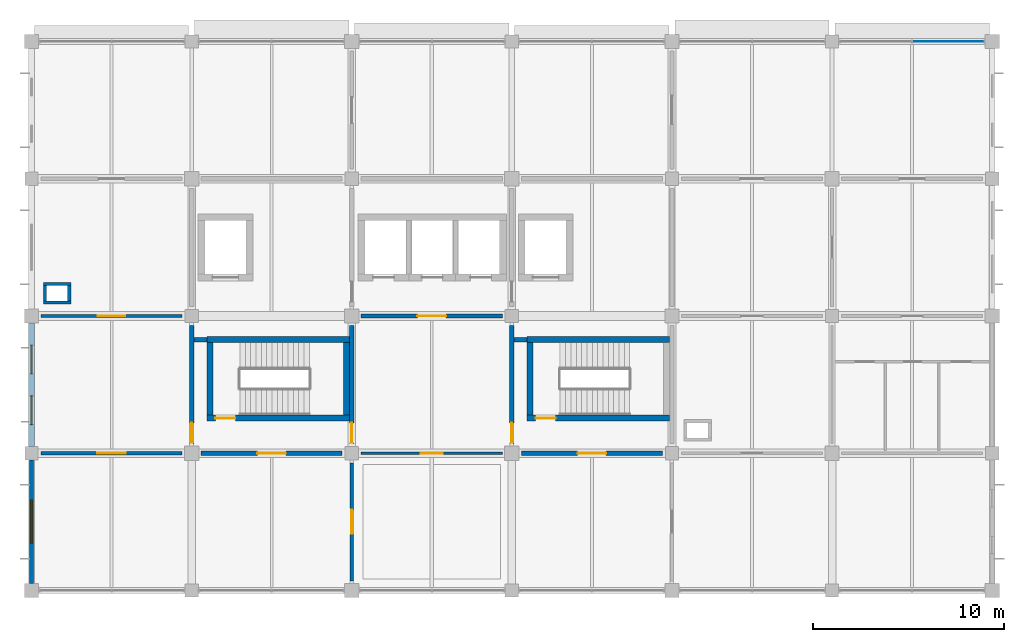
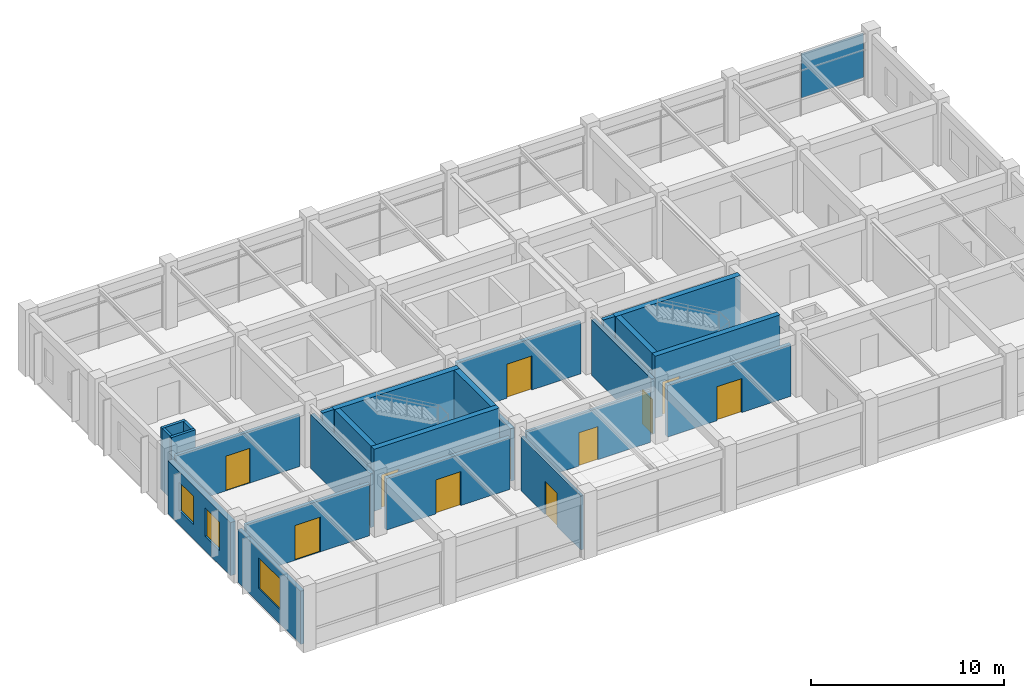
# One storey, part 8 of 13: 25 walls, 12 doors, 3 windows, 1 plate, 15 openings, 1 element without a shape of its own.
"""IFC4 building model written with IfcOpenShell, lengths in metres."""

from ifc_helpers import new_model, si_unit, derived_unit, direction, frame, frame_2d, origin, origin_2d, place, context, subcontext, project, spatial, rectangle, extrude, material, layer, layer_set, type_object, element, fill, aggregate, save


model = new_model("IFC4")

# Units and contexts
model_context = context("Model", 3, precision=1e-05, world=origin(), true_north=direction((0.0, 1.0)))
body_context = subcontext(model_context, "Body", "Model", "MODEL_VIEW")
ifc_project = project(units=[si_unit("LENGTHUNIT", "METRE"), si_unit("AREAUNIT", "SQUARE_METRE"), si_unit("VOLUMEUNIT", "CUBIC_METRE"), si_unit("PLANEANGLEUNIT", "RADIAN"), si_unit("MASSUNIT", "GRAM", prefix="KILO"), derived_unit("THERMALTRANSMITTANCEUNIT", [(si_unit("MASSUNIT", "GRAM", prefix="KILO"), 1), (si_unit("TIMEUNIT", "SECOND"), -3), (si_unit("THERMODYNAMICTEMPERATUREUNIT", "KELVIN"), -1)])], contexts=[model_context])

# Site, building, storey
site_placement = place(None, origin())
site = spatial("IfcSite", under=ifc_project, at=site_placement, CompositionType="ELEMENT")
building_placement = place(site_placement, origin())
building = spatial("IfcBuilding", under=site, at=building_placement, Name="Veldstrom Oceanarium and Marine Research Institute", CompositionType="ELEMENT")
storey_placement = place(building_placement, frame((0.0, 0.0, 31.199951171875)))
storey = spatial("IfcBuildingStorey", under=building, at=storey_placement, Name="L06", CompositionType="ELEMENT", Elevation=31.199951171875)

# Curtain wall, plate
ifc_material_1 = material(Name="Anodised Aluminium Framing", Category="aluminium")
curtain_wall_type = type_object("IfcCurtainWallType", Name="ARC-CW-CW04", PredefinedType="USERDEFINED", material=ifc_material_1)
curtain_wall_placement = place(storey_placement, origin())
curtain_wall = element("IfcCurtainWall", 1, at=curtain_wall_placement, inside=storey, type_object=curtain_wall_type, Name="Curtain Wall CW04 CW-L06-111", ObjectType="Curtain wall", PredefinedType="USERDEFINED")
ifc_material_2 = material(Name="Double Glazed Low-E IGU", Category="glass")
ifc_layer_1 = layer(ifc_material_2, 0.035888671875)
ifc_layer_set_1 = layer_set([ifc_layer_1], Name="ARC-PLT-CP03")
plate_type = type_object("IfcPlateType", Name="ARC-PLT-CP03", PredefinedType="CURTAIN_PANEL", material=ifc_layer_set_1)
plate_placement = place(storey_placement, frame((115.2861328125, 72.0, 1.090087890625), z_axis=(0.0, 0.0, 1.0), x_axis=(1.0, 0.0, 0.0)))
plate = element("IfcPlate", 2, at=plate_placement, type_object=plate_type, Name="Curtain Vision Panel CW-L06-111-PNL-V2", PredefinedType="CURTAIN_PANEL", context=body_context, shape_type="SweptSolid", body=[
    extrude(rectangle(XDim=3.717529296875, YDim=0.035888671875, at=origin_2d()), origin(), (0.0, 0.0, 1.0), 2.81005859375),
])
aggregate(curtain_wall, [plate])

# Wall, openings, windows
ifc_material_3 = material(Name="Masonry Cavity Wall", Category="masonry")
ifc_layer_2 = layer(ifc_material_3, 0.31005859375)
ifc_layer_set_2 = layer_set([ifc_layer_2], Name="ARC-WAL-EW1")
wall_type_1 = type_object("IfcWallType", Name="ARC-WAL-EW1", PredefinedType="SOLIDWALL", material=ifc_layer_set_2)
wall_1_placement = place(storey_placement, frame((67.199951171875, 50.75, 0.0), z_axis=(0.0, 0.0, 1.0), x_axis=(0.0, 1.0, 0.0)))
wall_1 = element("IfcWall", 3, at=wall_1_placement, inside=storey, type_object=wall_type_1, Name="Exterior Facade Wall EW1 L06-187", PredefinedType="SOLIDWALL", context=body_context, shape_type="SweptSolid", body=[
    extrude(rectangle(XDim=6.47509765625, YDim=0.31005859375, at=frame_2d((3.237548828125, 0.0))), origin(), (0.0, 0.0, 1.0), 3.364990234375),
])
opening_1_placement = place(wall_1_placement, frame((1.158203125, 0.0, 0.89990234375)))
opening_1 = element("IfcOpeningElement", 4, at=opening_1_placement, cuts=wall_1, Name="Opening W04", PredefinedType="OPENING", context=body_context, shape_type="SweptSolid", body=[
    extrude(rectangle(XDim=1.5, YDim=1.800048828125, at=frame_2d((0.75, 0.89990234375))), frame((0.0, 0.1650390625, 0.0), z_axis=(0.0, -1.0, 0.0), x_axis=(1.0, 0.0, 0.0)), (0.0, 0.0, 1.0), 0.330078125),
])
opening_2_placement = place(wall_1_placement, frame((3.816650390625, 0.0, 0.89990234375)))
opening_2 = element("IfcOpeningElement", 5, at=opening_2_placement, cuts=wall_1, Name="Opening W04", PredefinedType="OPENING", context=body_context, shape_type="SweptSolid", body=[
    extrude(rectangle(XDim=1.5, YDim=1.800048828125, at=frame_2d((0.75, 0.89990234375))), frame((0.0, 0.1650390625, 0.0), z_axis=(0.0, -1.0, 0.0), x_axis=(1.0, 0.0, 0.0)), (0.0, 0.0, 1.0), 0.330078125),
])
ifc_material_4 = material(Name="Double Glazed Low-E IGU", Category="glass")
window_type_1 = type_object("IfcWindowType", Name="ARC-WIN-W04", PartitioningType="SINGLE_PANEL", PredefinedType="WINDOW", material=ifc_material_4)
window_1_placement = place(opening_1_placement, origin())
window_1 = element("IfcWindow", 6, at=window_1_placement, inside=storey, type_object=window_type_1, Name="Facade Window W04 L06-0149", OverallHeight=1.800048828125, OverallWidth=1.5, PartitioningType="SINGLE_PANEL", PredefinedType="WINDOW", context=body_context, shape_type="SweptSolid", body=[
    extrude(rectangle(XDim=1.5, YDim=1.800048828125, at=frame_2d((0.75, 0.89990234375))), frame((0.0, 0.030029296875, 0.0), z_axis=(0.0, -1.0, 0.0), x_axis=(1.0, 0.0, 0.0)), (0.0, 0.0, 1.0), 0.06005859375),
])
fill(opening_1, window_1)
window_2_placement = place(opening_2_placement, origin())
window_2 = element("IfcWindow", 7, at=window_2_placement, inside=storey, type_object=window_type_1, Name="Facade Window W04 L06-0150", OverallHeight=1.800048828125, OverallWidth=1.5, PartitioningType="SINGLE_PANEL", PredefinedType="WINDOW", context=body_context, shape_type="SweptSolid", body=[
    extrude(rectangle(XDim=1.5, YDim=1.800048828125, at=frame_2d((0.75, 0.89990234375))), frame((0.0, 0.030029296875, 0.0), z_axis=(0.0, -1.0, 0.0), x_axis=(1.0, 0.0, 0.0)), (0.0, 0.0, 1.0), 0.06005859375),
])
fill(opening_2, window_2)

# Wall, opening, window
ifc_material_5 = material(Name="Masonry Cavity Wall", Category="masonry")
ifc_layer_3 = layer(ifc_material_5, 0.215087890625)
ifc_layer_set_3 = layer_set([ifc_layer_3], Name="ARC-WAL-EW6")
wall_type_2 = type_object("IfcWallType", Name="ARC-WAL-EW6", PredefinedType="SOLIDWALL", material=ifc_layer_set_3)
wall_2_placement = place(storey_placement, frame((67.199951171875, 43.574951171875, 0.0), z_axis=(0.0, 0.0, 1.0), x_axis=(0.0, 1.0, 0.0)))
wall_2 = element("IfcWall", 8, at=wall_2_placement, inside=storey, type_object=wall_type_2, Name="Exterior Facade Wall EW6 L06-186", PredefinedType="SOLIDWALL", context=body_context, shape_type="SweptSolid", body=[
    extrude(rectangle(XDim=6.47509765625, YDim=0.215087890625, at=frame_2d((3.237548828125, 0.0))), origin(), (0.0, 0.0, 1.0), 3.364990234375),
])
opening_3_placement = place(wall_2_placement, frame((2.112548828125, 0.0, 0.89990234375)))
opening_3 = element("IfcOpeningElement", 9, at=opening_3_placement, cuts=wall_2, Name="Opening W21", PredefinedType="OPENING", context=body_context, shape_type="SweptSolid", body=[
    extrude(rectangle(XDim=2.25, YDim=1.949951171875, at=frame_2d((1.125, 0.97509765625))), frame((0.0, 0.117431640625, 0.0), z_axis=(0.0, -1.0, 0.0), x_axis=(1.0, 0.0, 0.0)), (0.0, 0.0, 1.0), 0.235107421875),
])
ifc_material_6 = material(Name="Double Glazed Low-E IGU", Category="glass")
window_type_2 = type_object("IfcWindowType", Name="ARC-WIN-W21", PartitioningType="SINGLE_PANEL", PredefinedType="WINDOW", material=ifc_material_6)
window_3_placement = place(opening_3_placement, origin())
window_3 = element("IfcWindow", 10, at=window_3_placement, inside=storey, type_object=window_type_2, Name="Facade Window W21 L06-0148", OverallHeight=1.949951171875, OverallWidth=2.25, PartitioningType="SINGLE_PANEL", PredefinedType="WINDOW", context=body_context, shape_type="SweptSolid", body=[
    extrude(rectangle(XDim=2.25, YDim=1.949951171875, at=frame_2d((1.125, 0.97509765625))), frame((0.0, 0.030029296875, 0.0), z_axis=(0.0, -1.0, 0.0), x_axis=(1.0, 0.0, 0.0)), (0.0, 0.0, 1.0), 0.06005859375),
])
fill(opening_3, window_3)

# Wall, opening, door
ifc_material_7 = material(Name="Masonry Fire Compartment Wall", Category="masonry")
ifc_layer_4 = layer(ifc_material_7, 0.22998046875)
ifc_layer_set_4 = layer_set([ifc_layer_4], Name="ARC-WAL-PT1")
wall_type_3 = type_object("IfcWallType", Name="ARC-WAL-PT1", PredefinedType="PARTITIONING", material=ifc_layer_set_4)
wall_3_placement = place(storey_placement, frame((75.60009765625, 50.89990234375, 0.0), z_axis=(0.0, 0.0, 1.0), x_axis=(0.0, 1.0, 0.0)))
wall_3 = element("IfcWall", 11, at=wall_3_placement, inside=storey, type_object=wall_type_3, Name="Interior Partition PT1 L06-1477", PredefinedType="PARTITIONING", context=body_context, shape_type="SweptSolid", body=[
    extrude(rectangle(XDim=6.2001953125, YDim=0.22998046875, at=frame_2d((3.10009765625, 0.0))), origin(), (0.0, 0.0, 1.0), 3.4150390625),
])
opening_4_placement = place(wall_3_placement, frame((0.050048828125, 0.0, 0.0)))
opening_4 = element("IfcOpeningElement", 12, at=opening_4_placement, cuts=wall_3, Name="Opening D-L06-881", PredefinedType="OPENING", context=body_context, shape_type="SweptSolid", body=[
    extrude(rectangle(XDim=1.050048828125, YDim=2.14990234375, at=frame_2d((0.52490234375, 1.074951171875))), frame((0.0, 0.125, 0.0), z_axis=(0.0, -1.0, 0.0), x_axis=(1.0, 0.0, 0.0)), (0.0, 0.0, 1.0), 0.25),
])
ifc_material_8 = material(Name="Painted Steel Fire Door", Category="steel")
door_type_1 = type_object("IfcDoorType", Name="ARC-DOR-SD1", OperationType="SINGLE_SWING_LEFT", PredefinedType="DOOR", material=ifc_material_8)
door_1_placement = place(opening_4_placement, origin())
door_1 = element("IfcDoor", 13, at=door_1_placement, inside=storey, type_object=door_type_1, Name="Interior Door D-L06-881", OperationType="SINGLE_SWING_LEFT", OverallHeight=2.14990234375, OverallWidth=1.050048828125, PredefinedType="DOOR", context=body_context, shape_type="SweptSolid", body=[
    extrude(rectangle(XDim=1.050048828125, YDim=2.14990234375, at=frame_2d((0.52490234375, 1.074951171875))), frame((0.0, 0.02490234375, 0.0), z_axis=(0.0, -1.0, 0.0), x_axis=(1.0, 0.0, 0.0)), (0.0, 0.0, 1.0), 0.050048828125),
])
fill(opening_4, door_1)

wall_4_placement = place(storey_placement, frame((76.10009765625, 50.39990234375, 0.0), z_axis=(0.0, 0.0, 1.0), x_axis=(1.0, 0.0, 0.0)))
wall_4 = element("IfcWall", 14, at=wall_4_placement, inside=storey, type_object=wall_type_3, Name="Interior Partition PT1 L06-1482", PredefinedType="PARTITIONING", context=body_context, shape_type="SweptSolid", body=[
    extrude(rectangle(XDim=7.39990234375, YDim=0.22998046875, at=frame_2d((3.699951171875, 0.0))), origin(), (0.0, 0.0, 1.0), 3.26513671875),
])
opening_5_placement = place(wall_4_placement, frame((2.949951171875, 0.0, 0.0)))
opening_5 = element("IfcOpeningElement", 15, at=opening_5_placement, cuts=wall_4, Name="Opening D-L06-885", PredefinedType="OPENING", context=body_context, shape_type="SweptSolid", body=[
    extrude(rectangle(XDim=1.5, YDim=2.14990234375, at=frame_2d((0.75, 1.074951171875))), frame((0.0, 0.125, 0.0), z_axis=(0.0, -1.0, 0.0), x_axis=(1.0, 0.0, 0.0)), (0.0, 0.0, 1.0), 0.25),
])
ifc_material_9 = material(Name="Painted Steel Lobby Fire Door", Category="steel")
door_type_2 = type_object("IfcDoorType", Name="ARC-DOR-SD2", OperationType="DOUBLE_DOOR_SINGLE_SWING", PredefinedType="DOOR", material=ifc_material_9)
door_2_placement = place(opening_5_placement, frame((1.5, 0.0, 0.0), z_axis=(0.0, 0.0, 1.0), x_axis=(-1.0, 0.0, 0.0)))
door_2 = element("IfcDoor", 16, at=door_2_placement, inside=storey, type_object=door_type_2, Name="Interior Door D-L06-885", OperationType="DOUBLE_DOOR_SINGLE_SWING", OverallHeight=2.14990234375, OverallWidth=1.5, PredefinedType="DOOR", context=body_context, shape_type="SweptSolid", body=[
    extrude(rectangle(XDim=1.5, YDim=2.14990234375, at=frame_2d((0.75, 1.074951171875))), frame((0.0, 0.02490234375, 0.0), z_axis=(0.0, -1.0, 0.0), x_axis=(1.0, 0.0, 0.0)), (0.0, 0.0, 1.0), 0.050048828125),
])
fill(opening_5, door_2)

wall_5_placement = place(storey_placement, frame((84.0, 50.89990234375, 0.0), z_axis=(0.0, 0.0, 1.0), x_axis=(0.0, 1.0, 0.0)))
wall_5 = element("IfcWall", 17, at=wall_5_placement, inside=storey, type_object=wall_type_3, Name="Interior Partition PT1 L06-1483", PredefinedType="PARTITIONING", context=body_context, shape_type="SweptSolid", body=[
    extrude(rectangle(XDim=6.2001953125, YDim=0.22998046875, at=frame_2d((3.10009765625, 0.0))), origin(), (0.0, 0.0, 1.0), 3.31494140625),
])
opening_6_placement = place(wall_5_placement, frame((0.050048828125, 0.0, 0.0)))
opening_6 = element("IfcOpeningElement", 18, at=opening_6_placement, cuts=wall_5, Name="Opening D-L06-886", PredefinedType="OPENING", context=body_context, shape_type="SweptSolid", body=[
    extrude(rectangle(XDim=1.050048828125, YDim=2.14990234375, at=frame_2d((0.52490234375, 1.074951171875))), frame((0.0, 0.125, 0.0), z_axis=(0.0, -1.0, 0.0), x_axis=(1.0, 0.0, 0.0)), (0.0, 0.0, 1.0), 0.25),
])
door_3_placement = place(opening_6_placement, frame((1.050048828125, 0.0, 0.0), z_axis=(0.0, 0.0, 1.0), x_axis=(-1.0, 0.0, 0.0)))
door_3 = element("IfcDoor", 19, at=door_3_placement, inside=storey, type_object=door_type_1, Name="Interior Door D-L06-886", OperationType="SINGLE_SWING_RIGHT", OverallHeight=2.14990234375, OverallWidth=1.050048828125, PredefinedType="DOOR", context=body_context, shape_type="SweptSolid", body=[
    extrude(rectangle(XDim=1.050048828125, YDim=2.14990234375, at=frame_2d((0.52490234375, 1.074951171875))), frame((0.0, 0.02490234375, 0.0), z_axis=(0.0, -1.0, 0.0), x_axis=(1.0, 0.0, 0.0)), (0.0, 0.0, 1.0), 0.050048828125),
])
fill(opening_6, door_3)

# Wall
wall_6_placement = place(storey_placement, frame((75.719970703125, 56.360107421875, 0.0), z_axis=(0.0, 0.0, 1.0), x_axis=(1.0, 0.0, 0.0)))
element("IfcWall", 20, at=wall_6_placement, inside=storey, type_object=wall_type_3, Name="Interior Partition PT1 L06-1484", PredefinedType="PARTITIONING", context=body_context, shape_type="SweptSolid", body=[
    extrude(rectangle(XDim=0.679931640625, YDim=0.22998046875, at=frame_2d((0.33984375, 0.0))), origin(), (0.0, 0.0, 1.0), 3.920166015625),
])

# Wall, opening, door
wall_7_placement = place(storey_placement, frame((92.39990234375, 50.89990234375, 0.0), z_axis=(0.0, 0.0, 1.0), x_axis=(0.0, 1.0, 0.0)))
wall_7 = element("IfcWall", 21, at=wall_7_placement, inside=storey, type_object=wall_type_3, Name="Interior Partition PT1 L06-1489", PredefinedType="PARTITIONING", context=body_context, shape_type="SweptSolid", body=[
    extrude(rectangle(XDim=6.2001953125, YDim=0.22998046875, at=frame_2d((3.10009765625, 0.0))), origin(), (0.0, 0.0, 1.0), 3.51513671875),
])
opening_7_placement = place(wall_7_placement, frame((0.050048828125, 0.0, 0.0)))
opening_7 = element("IfcOpeningElement", 22, at=opening_7_placement, cuts=wall_7, Name="Opening D-L06-890", PredefinedType="OPENING", context=body_context, shape_type="SweptSolid", body=[
    extrude(rectangle(XDim=1.050048828125, YDim=2.14990234375, at=frame_2d((0.52490234375, 1.074951171875))), frame((0.0, 0.125, 0.0), z_axis=(0.0, -1.0, 0.0), x_axis=(1.0, 0.0, 0.0)), (0.0, 0.0, 1.0), 0.25),
])
door_4_placement = place(opening_7_placement, origin())
door_4 = element("IfcDoor", 23, at=door_4_placement, inside=storey, type_object=door_type_1, Name="Interior Door D-L06-890", OperationType="SINGLE_SWING_LEFT", OverallHeight=2.14990234375, OverallWidth=1.050048828125, PredefinedType="DOOR", context=body_context, shape_type="SweptSolid", body=[
    extrude(rectangle(XDim=1.050048828125, YDim=2.14990234375, at=frame_2d((0.52490234375, 1.074951171875))), frame((0.0, 0.02490234375, 0.0), z_axis=(0.0, -1.0, 0.0), x_axis=(1.0, 0.0, 0.0)), (0.0, 0.0, 1.0), 0.050048828125),
])
fill(opening_7, door_4)

wall_8_placement = place(storey_placement, frame((84.5, 57.60009765625, 0.0), z_axis=(0.0, 0.0, 1.0), x_axis=(1.0, 0.0, 0.0)))
wall_8 = element("IfcWall", 24, at=wall_8_placement, inside=storey, type_object=wall_type_3, Name="Interior Partition PT1 L06-1490", PredefinedType="PARTITIONING", context=body_context, shape_type="SweptSolid", body=[
    extrude(rectangle(XDim=7.39990234375, YDim=0.22998046875, at=frame_2d((3.699951171875, 0.0))), origin(), (0.0, 0.0, 1.0), 3.26513671875),
])
opening_8_placement = place(wall_8_placement, frame((2.949951171875, 0.0, 0.0)))
opening_8 = element("IfcOpeningElement", 25, at=opening_8_placement, cuts=wall_8, Name="Opening D-L06-891", PredefinedType="OPENING", context=body_context, shape_type="SweptSolid", body=[
    extrude(rectangle(XDim=1.5, YDim=2.14990234375, at=frame_2d((0.75, 1.074951171875))), frame((0.0, 0.125, 0.0), z_axis=(0.0, -1.0, 0.0), x_axis=(1.0, 0.0, 0.0)), (0.0, 0.0, 1.0), 0.25),
])
door_5_placement = place(opening_8_placement, origin())
door_5 = element("IfcDoor", 26, at=door_5_placement, inside=storey, type_object=door_type_2, Name="Interior Door D-L06-891", OperationType="DOUBLE_DOOR_SINGLE_SWING", OverallHeight=2.14990234375, OverallWidth=1.5, PredefinedType="DOOR", context=body_context, shape_type="SweptSolid", body=[
    extrude(rectangle(XDim=1.5, YDim=2.14990234375, at=frame_2d((0.75, 1.074951171875))), frame((0.0, 0.02490234375, 0.0), z_axis=(0.0, -1.0, 0.0), x_axis=(1.0, 0.0, 0.0)), (0.0, 0.0, 1.0), 0.050048828125),
])
fill(opening_8, door_5)

wall_9_placement = place(storey_placement, frame((92.89990234375, 50.39990234375, 0.0), z_axis=(0.0, 0.0, 1.0), x_axis=(1.0, 0.0, 0.0)))
wall_9 = element("IfcWall", 27, at=wall_9_placement, inside=storey, type_object=wall_type_3, Name="Interior Partition PT1 L06-1494", PredefinedType="PARTITIONING", context=body_context, shape_type="SweptSolid", body=[
    extrude(rectangle(XDim=7.400146484375, YDim=0.22998046875, at=frame_2d((3.7001953125, 0.0))), origin(), (0.0, 0.0, 1.0), 3.26513671875),
])
opening_9_placement = place(wall_9_placement, frame((2.949951171875, 0.0, 0.0)))
opening_9 = element("IfcOpeningElement", 28, at=opening_9_placement, cuts=wall_9, Name="Opening D-L06-894", PredefinedType="OPENING", context=body_context, shape_type="SweptSolid", body=[
    extrude(rectangle(XDim=1.5, YDim=2.14990234375, at=frame_2d((0.75, 1.074951171875))), frame((0.0, 0.125, 0.0), z_axis=(0.0, -1.0, 0.0), x_axis=(1.0, 0.0, 0.0)), (0.0, 0.0, 1.0), 0.25),
])
door_6_placement = place(opening_9_placement, frame((1.5, 0.0, 0.0), z_axis=(0.0, 0.0, 1.0), x_axis=(-1.0, 0.0, 0.0)))
door_6 = element("IfcDoor", 29, at=door_6_placement, inside=storey, type_object=door_type_2, Name="Interior Door D-L06-894", OperationType="DOUBLE_DOOR_SINGLE_SWING", OverallHeight=2.14990234375, OverallWidth=1.5, PredefinedType="DOOR", context=body_context, shape_type="SweptSolid", body=[
    extrude(rectangle(XDim=1.5, YDim=2.14990234375, at=frame_2d((0.75, 1.074951171875))), frame((0.0, 0.02490234375, 0.0), z_axis=(0.0, -1.0, 0.0), x_axis=(1.0, 0.0, 0.0)), (0.0, 0.0, 1.0), 0.050048828125),
])
fill(opening_9, door_6)

# Wall
wall_10_placement = place(storey_placement, frame((92.52001953125, 56.360107421875, 0.0), z_axis=(0.0, 0.0, 1.0), x_axis=(1.0, 0.0, 0.0)))
element("IfcWall", 30, at=wall_10_placement, inside=storey, type_object=wall_type_3, Name="Interior Partition PT1 L06-1496", PredefinedType="PARTITIONING", context=body_context, shape_type="SweptSolid", body=[
    extrude(rectangle(XDim=0.679931640625, YDim=0.22998046875, at=frame_2d((0.33984375, 0.0))), origin(), (0.0, 0.0, 1.0), 3.920166015625),
])

# Wall, opening, door
ifc_material_10 = material(Name="Masonry Acoustic Lab Partition", Category="masonry")
ifc_layer_5 = layer(ifc_material_10, 0.205078125)
ifc_layer_set_5 = layer_set([ifc_layer_5], Name="ARC-WAL-PT2")
wall_type_4 = type_object("IfcWallType", Name="ARC-WAL-PT2", PredefinedType="PARTITIONING", material=ifc_layer_set_5)
wall_11_placement = place(storey_placement, frame((67.699951171875, 50.39990234375, 0.0), z_axis=(0.0, 0.0, 1.0), x_axis=(1.0, 0.0, 0.0)))
wall_11 = element("IfcWall", 31, at=wall_11_placement, inside=storey, type_object=wall_type_4, Name="Interior Partition PT2 L06-1476", PredefinedType="PARTITIONING", context=body_context, shape_type="SweptSolid", body=[
    extrude(rectangle(XDim=7.400146484375, YDim=0.205078125, at=frame_2d((3.7001953125, 0.0))), origin(), (0.0, 0.0, 1.0), 3.26513671875),
])
opening_10_placement = place(wall_11_placement, frame((2.949951171875, 0.0, 0.0)))
opening_10 = element("IfcOpeningElement", 32, at=opening_10_placement, cuts=wall_11, Name="Opening D-L06-880", PredefinedType="OPENING", context=body_context, shape_type="SweptSolid", body=[
    extrude(rectangle(XDim=1.5, YDim=2.199951171875, at=frame_2d((0.75, 1.10009765625))), frame((0.0, 0.112548828125, 0.0), z_axis=(0.0, -1.0, 0.0), x_axis=(1.0, 0.0, 0.0)), (0.0, 0.0, 1.0), 0.22509765625),
])
ifc_material_11 = material(Name="Laboratory Double Leaf Door", Category="timber")
door_type_3 = type_object("IfcDoorType", Name="ARC-DOR-ID03", OperationType="DOUBLE_DOOR_SINGLE_SWING", PredefinedType="DOOR", material=ifc_material_11)
door_7_placement = place(opening_10_placement, origin())
door_7 = element("IfcDoor", 33, at=door_7_placement, inside=storey, type_object=door_type_3, Name="Interior Door D-L06-880", OperationType="DOUBLE_DOOR_SINGLE_SWING", OverallHeight=2.199951171875, OverallWidth=1.5, PredefinedType="DOOR", context=body_context, shape_type="SweptSolid", body=[
    extrude(rectangle(XDim=1.5, YDim=2.199951171875, at=frame_2d((0.75, 1.10009765625))), frame((0.0, 0.02490234375, 0.0), z_axis=(0.0, -1.0, 0.0), x_axis=(1.0, 0.0, 0.0)), (0.0, 0.0, 1.0), 0.050048828125),
])
fill(opening_10, door_7)

ifc_material_12 = material(Name="Drywall Acoustic Partition", Category="gypsum")
ifc_layer_6 = layer(ifc_material_12, 0.175048828125)
ifc_layer_set_6 = layer_set([ifc_layer_6], Name="ARC-WAL-PT3")
wall_type_5 = type_object("IfcWallType", Name="ARC-WAL-PT3", PredefinedType="PARTITIONING", material=ifc_layer_set_6)
wall_12_placement = place(storey_placement, frame((67.699951171875, 57.60009765625, 0.0), z_axis=(0.0, 0.0, 1.0), x_axis=(1.0, 0.0, 0.0)))
wall_12 = element("IfcWall", 34, at=wall_12_placement, inside=storey, type_object=wall_type_5, Name="Interior Partition PT3 L06-1478", PredefinedType="PARTITIONING", context=body_context, shape_type="SweptSolid", body=[
    extrude(rectangle(XDim=7.400146484375, YDim=0.175048828125, at=frame_2d((3.7001953125, 0.0))), origin(), (0.0, 0.0, 1.0), 3.26513671875),
])
opening_11_placement = place(wall_12_placement, frame((2.97509765625, 0.0, 0.0)))
opening_11 = element("IfcOpeningElement", 35, at=opening_11_placement, cuts=wall_12, Name="Opening D-L06-882", PredefinedType="OPENING", context=body_context, shape_type="SweptSolid", body=[
    extrude(rectangle(XDim=1.449951171875, YDim=2.199951171875, at=frame_2d((0.72509765625, 1.10009765625))), frame((0.0, 0.097412109375, 0.0), z_axis=(0.0, -1.0, 0.0), x_axis=(1.0, 0.0, 0.0)), (0.0, 0.0, 1.0), 0.195068359375),
])
ifc_material_13 = material(Name="Curatorial Archive Door", Category="timber")
door_type_4 = type_object("IfcDoorType", Name="ARC-DOR-ID14", OperationType="DOUBLE_DOOR_SINGLE_SWING", PredefinedType="DOOR", material=ifc_material_13)
door_8_placement = place(opening_11_placement, frame((1.449951171875, 0.0, 0.0), z_axis=(0.0, 0.0, 1.0), x_axis=(-1.0, 0.0, 0.0)))
door_8 = element("IfcDoor", 36, at=door_8_placement, inside=storey, type_object=door_type_4, Name="Interior Door D-L06-882", OperationType="DOUBLE_DOOR_SINGLE_SWING", OverallHeight=2.199951171875, OverallWidth=1.449951171875, PredefinedType="DOOR", context=body_context, shape_type="SweptSolid", body=[
    extrude(rectangle(XDim=1.449951171875, YDim=2.199951171875, at=frame_2d((0.72509765625, 1.10009765625))), frame((0.0, 0.02490234375, 0.0), z_axis=(0.0, -1.0, 0.0), x_axis=(1.0, 0.0, 0.0)), (0.0, 0.0, 1.0), 0.050048828125),
])
fill(opening_11, door_8)

wall_13_placement = place(storey_placement, frame((84.0, 43.699951171875, 0.0), z_axis=(0.0, 0.0, 1.0), x_axis=(0.0, 1.0, 0.0)))
wall_13 = element("IfcWall", 37, at=wall_13_placement, inside=storey, type_object=wall_type_5, Name="Interior Partition PT3 L06-1481", PredefinedType="PARTITIONING", context=body_context, shape_type="SweptSolid", body=[
    extrude(rectangle(XDim=6.199951171875, YDim=0.175048828125, at=frame_2d((3.10009765625, 0.0))), origin(), (0.0, 0.0, 1.0), 3.4150390625),
])
opening_12_placement = place(wall_13_placement, frame((2.47509765625, 0.0, 0.0)))
opening_12 = element("IfcOpeningElement", 38, at=opening_12_placement, cuts=wall_13, Name="Opening D-L06-884", PredefinedType="OPENING", context=body_context, shape_type="SweptSolid", body=[
    extrude(rectangle(XDim=1.25, YDim=2.10009765625, at=frame_2d((0.625, 1.050048828125))), frame((0.0, 0.097412109375, 0.0), z_axis=(0.0, -1.0, 0.0), x_axis=(1.0, 0.0, 0.0)), (0.0, 0.0, 1.0), 0.195068359375),
])
ifc_material_14 = material(Name="Specimen Prep Door", Category="timber")
door_type_5 = type_object("IfcDoorType", Name="ARC-DOR-ID16", OperationType="SINGLE_SWING_RIGHT", PredefinedType="DOOR", material=ifc_material_14)
door_9_placement = place(opening_12_placement, frame((1.25, 0.0, 0.0), z_axis=(0.0, 0.0, 1.0), x_axis=(-1.0, 0.0, 0.0)))
door_9 = element("IfcDoor", 39, at=door_9_placement, inside=storey, type_object=door_type_5, Name="Interior Door D-L06-884", OperationType="SINGLE_SWING_LEFT", OverallHeight=2.10009765625, OverallWidth=1.25, PredefinedType="DOOR", context=body_context, shape_type="SweptSolid", body=[
    extrude(rectangle(XDim=1.25, YDim=2.10009765625, at=frame_2d((0.625, 1.050048828125))), frame((0.0, 0.02490234375, 0.0), z_axis=(0.0, -1.0, 0.0), x_axis=(1.0, 0.0, 0.0)), (0.0, 0.0, 1.0), 0.050048828125),
])
fill(opening_12, door_9)

ifc_material_15 = material(Name="Drywall Corridor Partition", Category="gypsum")
ifc_layer_7 = layer(ifc_material_15, 0.155029296875)
ifc_layer_set_7 = layer_set([ifc_layer_7], Name="ARC-WAL-PT4")
wall_type_6 = type_object("IfcWallType", Name="ARC-WAL-PT4", PredefinedType="PARTITIONING", material=ifc_layer_set_7)
wall_14_placement = place(storey_placement, frame((84.5, 50.39990234375, 0.0), z_axis=(0.0, 0.0, 1.0), x_axis=(1.0, 0.0, 0.0)))
wall_14 = element("IfcWall", 40, at=wall_14_placement, inside=storey, type_object=wall_type_6, Name="Interior Partition PT4 L06-1488", PredefinedType="PARTITIONING", context=body_context, shape_type="SweptSolid", body=[
    extrude(rectangle(XDim=7.39990234375, YDim=0.155029296875, at=frame_2d((3.699951171875, 0.0))), origin(), (0.0, 0.0, 1.0), 3.26513671875),
])
opening_13_placement = place(wall_14_placement, frame((3.125, 0.0, 0.0)))
opening_13 = element("IfcOpeningElement", 41, at=opening_13_placement, cuts=wall_14, Name="Opening D-L06-889", PredefinedType="OPENING", context=body_context, shape_type="SweptSolid", body=[
    extrude(rectangle(XDim=1.14990234375, YDim=2.10009765625, at=frame_2d((0.574951171875, 1.050048828125))), frame((0.0, 0.08740234375, 0.0), z_axis=(0.0, -1.0, 0.0), x_axis=(1.0, 0.0, 0.0)), (0.0, 0.0, 1.0), 0.175048828125),
])
ifc_material_16 = material(Name="Fellows Studio Door", Category="timber")
door_type_6 = type_object("IfcDoorType", Name="ARC-DOR-ID17", OperationType="SINGLE_SWING_LEFT", PredefinedType="DOOR", material=ifc_material_16)
door_10_placement = place(opening_13_placement, frame((1.14990234375, 0.0, 0.0), z_axis=(0.0, 0.0, 1.0), x_axis=(-1.0, 0.0, 0.0)))
door_10 = element("IfcDoor", 42, at=door_10_placement, inside=storey, type_object=door_type_6, Name="Interior Door D-L06-889", OperationType="SINGLE_SWING_RIGHT", OverallHeight=2.10009765625, OverallWidth=1.14990234375, PredefinedType="DOOR", context=body_context, shape_type="SweptSolid", body=[
    extrude(rectangle(XDim=1.14990234375, YDim=2.10009765625, at=frame_2d((0.574951171875, 1.050048828125))), frame((0.0, 0.02490234375, 0.0), z_axis=(0.0, -1.0, 0.0), x_axis=(1.0, 0.0, 0.0)), (0.0, 0.0, 1.0), 0.050048828125),
])
fill(opening_13, door_10)

# Walls
ifc_material_17 = material(Name="Service Riser Fire Shaft Wall", Category="masonry")
ifc_layer_8 = layer(ifc_material_17, 0.1650390625)
ifc_layer_set_8 = layer_set([ifc_layer_8], Name="ARC-WAL-PT9")
wall_type_7 = type_object("IfcWallType", Name="ARC-WAL-PT9", PredefinedType="PARTITIONING", material=ifc_layer_set_8)
for number, where, z_axis, x_axis, name in (
    (43, (67.8349609375, 58.3173828125, 0.0), (0.0, 0.0, 1.0), (1.0, 0.0, 0.0), "Service Riser Fire Shaft Wall L06-CW-S"),
    (44, (67.8349609375, 59.282470703125, 0.0), (0.0, 0.0, 1.0), (1.0, 0.0, 0.0), "Service Riser Fire Shaft Wall L06-CW-N"),
):
    element("IfcWall", number, at=place(storey_placement, frame(where, z_axis=z_axis, x_axis=x_axis)), inside=storey, type_object=wall_type_7, Name=name, PredefinedType="PARTITIONING", context=body_context, shape_type="SweptSolid", body=[
        extrude(rectangle(XDim=1.429931640625, YDim=0.1650390625, at=frame_2d((0.71484375, 0.0))), origin(), (0.0, 0.0, 1.0), 3.920166015625),
    ])
for number, where, z_axis, x_axis, name in (
    (45, (67.91748046875, 58.39990234375, 0.0), (0.0, 0.0, 1.0), (0.0, 1.0, 0.0), "Service Riser Fire Shaft Wall L06-CW-W"),
    (46, (69.1826171875, 58.39990234375, 0.0), (0.0, 0.0, 1.0), (0.0, 1.0, 0.0), "Service Riser Fire Shaft Wall L06-CW-E"),
):
    element("IfcWall", number, at=place(storey_placement, frame(where, z_axis=z_axis, x_axis=x_axis)), inside=storey, type_object=wall_type_7, Name=name, PredefinedType="PARTITIONING", context=body_context, shape_type="SweptSolid", body=[
        extrude(rectangle(XDim=0.800048828125, YDim=0.1650390625, at=frame_2d((0.39990234375, 0.0))), origin(), (0.0, 0.0, 1.0), 3.920166015625),
    ])

# Wall, opening, door
ifc_material_18 = material(Name="Concrete C40/50", Category="concrete")
ifc_layer_9 = layer(ifc_material_18, 0.320068359375)
ifc_layer_set_9 = layer_set([ifc_layer_9], Name="STR-WAL-WC3")
wall_type_8 = type_object("IfcWallType", Name="STR-WAL-WC3", PredefinedType="SHEAR", material=ifc_layer_set_9)
wall_15_placement = place(storey_placement, frame((76.39990234375, 52.239990234375, 0.0), z_axis=(0.0, 0.0, 1.0), x_axis=(1.0, 0.0, 0.0)))
wall_15 = element("IfcWall", 47, at=wall_15_placement, inside=storey, type_object=wall_type_8, Name="Stair Core Shear Wall SC1-L06-S", PredefinedType="SHEAR", context=body_context, shape_type="SweptSolid", body=[
    extrude(rectangle(XDim=7.47998046875, YDim=0.320068359375, at=frame_2d((3.739990234375, 0.0))), origin(), (0.0, 0.0, 1.0), 3.920166015625),
])
opening_14_placement = place(wall_15_placement, frame((0.449951171875, 0.0, 0.0)))
opening_14 = element("IfcOpeningElement", 48, at=opening_14_placement, cuts=wall_15, Name="Opening D-ST1-L06", PredefinedType="OPENING", context=body_context, shape_type="SweptSolid", body=[
    extrude(rectangle(XDim=1.050048828125, YDim=2.14990234375, at=frame_2d((0.52490234375, 1.074951171875))), frame((0.0, 0.169921875, 0.0), z_axis=(0.0, -1.0, 0.0), x_axis=(1.0, 0.0, 0.0)), (0.0, 0.0, 1.0), 0.340087890625),
])
door_11_placement = place(opening_14_placement, origin())
door_11 = element("IfcDoor", 49, at=door_11_placement, inside=storey, type_object=door_type_1, Name="Escape Stair Fire Door D-ST1-L06", OperationType="SINGLE_SWING_LEFT", OverallHeight=2.14990234375, OverallWidth=1.050048828125, PredefinedType="DOOR", context=body_context, shape_type="SweptSolid", body=[
    extrude(rectangle(XDim=1.050048828125, YDim=2.14990234375, at=frame_2d((0.52490234375, 1.074951171875))), frame((0.0, 0.02490234375, 0.0), z_axis=(0.0, -1.0, 0.0), x_axis=(1.0, 0.0, 0.0)), (0.0, 0.0, 1.0), 0.050048828125),
])
fill(opening_14, door_11)

# Walls
wall_16_placement = place(storey_placement, frame((76.39990234375, 56.360107421875, 0.0), z_axis=(0.0, 0.0, 1.0), x_axis=(1.0, 0.0, 0.0)))
element("IfcWall", 50, at=wall_16_placement, inside=storey, type_object=wall_type_8, Name="Stair Core Shear Wall SC1-L06-N", PredefinedType="SHEAR", context=body_context, shape_type="SweptSolid", body=[
    extrude(rectangle(XDim=7.47998046875, YDim=0.320068359375, at=frame_2d((3.739990234375, 0.0))), origin(), (0.0, 0.0, 1.0), 3.920166015625),
])
for number, where, z_axis, x_axis, name in (
    (51, (76.56005859375, 52.39990234375, 0.0), (0.0, 0.0, 1.0), (0.0, 1.0, 0.0), "Stair Core Shear Wall SC1-L06-W"),
    (52, (83.719970703125, 52.39990234375, 0.0), (0.0, 0.0, 1.0), (0.0, 1.0, 0.0), "Stair Core Shear Wall SC1-L06-E"),
):
    element("IfcWall", number, at=place(storey_placement, frame(where, z_axis=z_axis, x_axis=x_axis)), inside=storey, type_object=wall_type_8, Name=name, PredefinedType="SHEAR", context=body_context, shape_type="SweptSolid", body=[
        extrude(rectangle(XDim=3.800048828125, YDim=0.320068359375, at=frame_2d((1.89990234375, 0.0))), origin(), (0.0, 0.0, 1.0), 3.920166015625),
    ])

# Wall, opening, door
wall_17_placement = place(storey_placement, frame((93.199951171875, 52.239990234375, 0.0), z_axis=(0.0, 0.0, 1.0), x_axis=(1.0, 0.0, 0.0)))
wall_17 = element("IfcWall", 53, at=wall_17_placement, inside=storey, type_object=wall_type_8, Name="Stair Core Shear Wall SC2-L06-S", PredefinedType="SHEAR", context=body_context, shape_type="SweptSolid", body=[
    extrude(rectangle(XDim=7.47998046875, YDim=0.320068359375, at=frame_2d((3.739990234375, 0.0))), origin(), (0.0, 0.0, 1.0), 3.920166015625),
])
opening_15_placement = place(wall_17_placement, frame((0.449951171875, 0.0, 0.0)))
opening_15 = element("IfcOpeningElement", 54, at=opening_15_placement, cuts=wall_17, Name="Opening D-ST2-L06", PredefinedType="OPENING", context=body_context, shape_type="SweptSolid", body=[
    extrude(rectangle(XDim=1.050048828125, YDim=2.14990234375, at=frame_2d((0.52490234375, 1.074951171875))), frame((0.0, 0.169921875, 0.0), z_axis=(0.0, -1.0, 0.0), x_axis=(1.0, 0.0, 0.0)), (0.0, 0.0, 1.0), 0.340087890625),
])
door_12_placement = place(opening_15_placement, origin())
door_12 = element("IfcDoor", 55, at=door_12_placement, inside=storey, type_object=door_type_1, Name="Escape Stair Fire Door D-ST2-L06", OperationType="SINGLE_SWING_LEFT", OverallHeight=2.14990234375, OverallWidth=1.050048828125, PredefinedType="DOOR", context=body_context, shape_type="SweptSolid", body=[
    extrude(rectangle(XDim=1.050048828125, YDim=2.14990234375, at=frame_2d((0.52490234375, 1.074951171875))), frame((0.0, 0.02490234375, 0.0), z_axis=(0.0, -1.0, 0.0), x_axis=(1.0, 0.0, 0.0)), (0.0, 0.0, 1.0), 0.050048828125),
])
fill(opening_15, door_12)

# Walls
wall_18_placement = place(storey_placement, frame((93.199951171875, 56.360107421875, 0.0), z_axis=(0.0, 0.0, 1.0), x_axis=(1.0, 0.0, 0.0)))
element("IfcWall", 56, at=wall_18_placement, inside=storey, type_object=wall_type_8, Name="Stair Core Shear Wall SC2-L06-N", PredefinedType="SHEAR", context=body_context, shape_type="SweptSolid", body=[
    extrude(rectangle(XDim=7.47998046875, YDim=0.320068359375, at=frame_2d((3.739990234375, 0.0))), origin(), (0.0, 0.0, 1.0), 3.920166015625),
])
wall_19_placement = place(storey_placement, frame((93.360107421875, 52.39990234375, 0.0), z_axis=(0.0, 0.0, 1.0), x_axis=(0.0, 1.0, 0.0)))
element("IfcWall", 57, at=wall_19_placement, inside=storey, type_object=wall_type_8, Name="Stair Core Shear Wall SC2-L06-W", PredefinedType="SHEAR", context=body_context, shape_type="SweptSolid", body=[
    extrude(rectangle(XDim=3.800048828125, YDim=0.320068359375, at=frame_2d((1.89990234375, 0.0))), origin(), (0.0, 0.0, 1.0), 3.920166015625),
])

save(model, "model.ifc")
